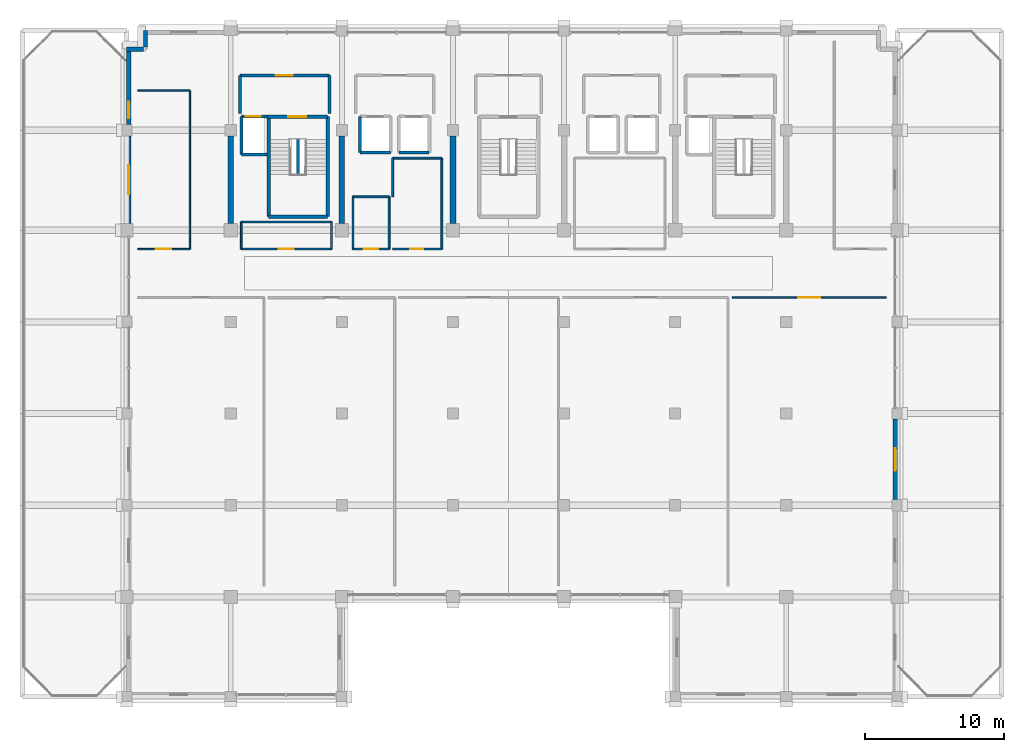
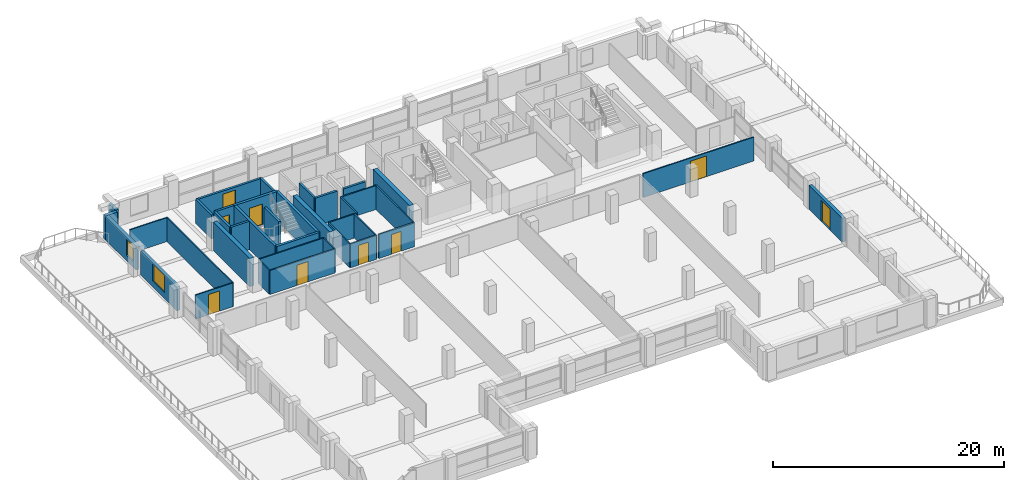
# One storey, part 18 of 22: 38 walls, 9 doors, 2 windows, 11 openings.
"""IFC4 building model written with IfcOpenShell, lengths in metres."""

from ifc_helpers import new_model, si_unit, direction, frame, frame_2d, origin, place, context, subcontext, project, spatial, rectangle, extrude, material, layer, layer_set, type_object, element, fill, save


model = new_model("IFC4")

# Units and contexts
model_context = context("Model", 3, precision=1e-05, world=origin(), true_north=direction((0.0, 1.0)))
body_context = subcontext(model_context, "Body", "Model", "MODEL_VIEW")
ifc_project = project(units=[si_unit("LENGTHUNIT", "METRE"), si_unit("AREAUNIT", "SQUARE_METRE"), si_unit("VOLUMEUNIT", "CUBIC_METRE"), si_unit("PLANEANGLEUNIT", "RADIAN"), si_unit("MASSUNIT", "GRAM", prefix="KILO")], contexts=[model_context])

# Site, building, storey
site_placement = place(None, origin())
site = spatial("IfcSite", under=ifc_project, at=site_placement, CompositionType="ELEMENT")
building_placement = place(site_placement, origin())
building = spatial("IfcBuilding", under=site, at=building_placement, Name="Akrevak Sports Hall", CompositionType="ELEMENT")
storey_placement = place(building_placement, frame((0.0, 0.0, 40.550048828125)))
storey = spatial("IfcBuildingStorey", under=building, at=storey_placement, Name="L09", CompositionType="ELEMENT", Elevation=40.550048828125)

# Wall, opening, door
ifc_material_1 = material(Name="Limestone Ashlar", Category="stone")
ifc_layer_1 = layer(ifc_material_1, 0.070068359375, Name="Limestone Ashlar")
ifc_material_2 = material(Name="Mineral Wool Thermal Insulation", Category="insulation")
ifc_layer_2 = layer(ifc_material_2, 0.090087890625, Name="Mineral Wool Thermal Insulation")
ifc_material_3 = material(Name="Concrete C40/50", Category="concrete")
ifc_layer_3 = layer(ifc_material_3, 0.159912109375, Name="Concrete C40/50")
ifc_layer_set_1 = layer_set([ifc_layer_1, ifc_layer_2, ifc_layer_3], Name="Limestone Ashlar / Mineral Wool Thermal Insulation / Concrete C40/50")
wall_type_1 = type_object("IfcWallType", Name="ARC-WL-EXT-320", PredefinedType="SOLIDWALL", material=ifc_layer_set_1)
wall_1_placement = place(storey_placement, frame((107.840087890625, 35.800048828125, 0.0), z_axis=(0.0, 0.0, 1.0), x_axis=(0.0, 1.0, 0.0)))
wall_1 = element("IfcWall", 1, at=wall_1_placement, inside=storey, type_object=wall_type_1, Name="Tower Stone Facade Wall L09-E12", PredefinedType="SOLIDWALL", context=body_context, shape_type="SweptSolid", body=[
    extrude(rectangle(XDim=5.800048828125, YDim=0.320068359375, at=frame_2d((2.89990234375, 0.0))), origin(), (0.0, 0.0, 1.0), 2.530029296875),
])
opening_1_placement = place(wall_1_placement, frame((2.10009765625, 0.0, 0.0)))
opening_1 = element("IfcOpeningElement", 2, at=opening_1_placement, cuts=wall_1, Name="Opening TD-02", PredefinedType="OPENING", context=body_context, shape_type="SweptSolid", body=[
    extrude(rectangle(XDim=1.60009765625, YDim=2.199951171875, at=frame_2d((0.800048828125, 1.10009765625))), frame((0.0, 0.171875, 0.0), z_axis=(0.0, -1.0, 0.0), x_axis=(1.0, 0.0, 0.0)), (0.0, 0.0, 1.0), 0.343994140625),
])
ifc_material_4 = material(Name="Anodized Bronze Aluminium & Tempered Glass", Category="aluminium")
door_type_1 = type_object("IfcDoorType", Name="ARC-DR-TERR-160x220", OperationType="DOUBLE_DOOR_SINGLE_SWING", PredefinedType="DOOR", material=ifc_material_4)
door_1_placement = place(opening_1_placement, frame((1.60009765625, 0.0, 0.0), z_axis=(0.0, 0.0, 1.0), x_axis=(-1.0, 0.0, 0.0)))
door_1 = element("IfcDoor", 3, at=door_1_placement, inside=storey, type_object=door_type_1, Name="L09 East Setback Terrace Door TD-06", OperationType="DOUBLE_DOOR_SINGLE_SWING", OverallHeight=2.199951171875, OverallWidth=1.60009765625, PredefinedType="DOOR", context=body_context, shape_type="SweptSolid", body=[
    extrude(rectangle(XDim=1.60009765625, YDim=2.199951171875, at=frame_2d((0.800048828125, 1.10009765625))), frame((0.0, 0.02490234375, 0.0), z_axis=(0.0, -1.0, 0.0), x_axis=(1.0, 0.0, 0.0)), (0.0, 0.0, 1.0), 0.050048828125),
])
fill(opening_1, door_1)

# Walls
wall_2_placement = place(storey_placement, frame((53.860107421875, 69.60009765625, 0.0), z_axis=(0.0, 0.0, 1.0), x_axis=(0.0, -1.0, 0.0)))
element("IfcWall", 4, at=wall_2_placement, inside=storey, type_object=wall_type_1, Name="Tower Stone Facade Wall L09-W26", PredefinedType="SOLIDWALL", context=body_context, shape_type="SweptSolid", body=[
    extrude(rectangle(XDim=1.2001953125, YDim=0.320068359375, at=frame_2d((0.60009765625, 0.0))), origin(), (0.0, 0.0, 1.0), 2.530029296875),
])
wall_3_placement = place(storey_placement, frame((53.699951171875, 68.239990234375, 0.0), z_axis=(0.0, 0.0, 1.0), x_axis=(-1.0, 0.0, 0.0)))
element("IfcWall", 5, at=wall_3_placement, inside=storey, type_object=wall_type_1, Name="Tower Stone Facade Wall L09-N27", PredefinedType="SOLIDWALL", context=body_context, shape_type="SweptSolid", body=[
    extrude(rectangle(XDim=1.199951171875, YDim=0.320068359375, at=frame_2d((0.60009765625, 0.0))), origin(), (0.0, 0.0, 1.0), 2.530029296875),
])

# Wall, opening, window
wall_4_placement = place(storey_placement, frame((52.659912109375, 68.39990234375, 0.0), z_axis=(0.0, 0.0, 1.0), x_axis=(0.0, -1.0, 0.0)))
wall_4 = element("IfcWall", 6, at=wall_4_placement, inside=storey, type_object=wall_type_1, Name="Tower Stone Facade Wall L09-W28", PredefinedType="SOLIDWALL", context=body_context, shape_type="SweptSolid", body=[
    extrude(rectangle(XDim=5.599853515625, YDim=0.320068359375, at=frame_2d((2.7998046875, 0.0))), origin(), (0.0, 0.0, 1.0), 2.530029296875),
])
opening_2_placement = place(wall_4_placement, frame((3.949951171875, 0.0, 0.6201171875)))
opening_2 = element("IfcOpeningElement", 7, at=opening_2_placement, cuts=wall_4, Name="Opening WN-45", PredefinedType="OPENING", context=body_context, shape_type="SweptSolid", body=[
    extrude(rectangle(XDim=1.199951171875, YDim=1.64990234375, at=frame_2d((0.60009765625, 0.824951171875))), frame((0.0, 0.171875, 0.0), z_axis=(0.0, -1.0, 0.0), x_axis=(1.0, 0.0, 0.0)), (0.0, 0.0, 1.0), 0.343994140625),
])
ifc_material_5 = material(Name="Thermally Broken Bronze Frame & Double Low-E Glass", Category="glass")
window_type_1 = type_object("IfcWindowType", Name="ARC-WIN-SZ-1200x1650", PartitioningType="SINGLE_PANEL", PredefinedType="WINDOW", material=ifc_material_5)
window_1_placement = place(opening_2_placement, origin())
window_1 = element("IfcWindow", 8, at=window_1_placement, inside=storey, type_object=window_type_1, Name="Tower Window L09-W28", OverallHeight=1.64990234375, OverallWidth=1.199951171875, PartitioningType="SINGLE_PANEL", PredefinedType="WINDOW", context=body_context, shape_type="SweptSolid", body=[
    extrude(rectangle(XDim=1.199951171875, YDim=1.64990234375, at=frame_2d((0.60009765625, 0.824951171875))), frame((0.0, 0.030029296875, 0.0), z_axis=(0.0, -1.0, 0.0), x_axis=(1.0, 0.0, 0.0)), (0.0, 0.0, 1.0), 0.06005859375),
])
fill(opening_2, window_1)

wall_5_placement = place(storey_placement, frame((52.659912109375, 62.0, 0.0), z_axis=(0.0, 0.0, 1.0), x_axis=(0.0, -1.0, 0.0)))
wall_5 = element("IfcWall", 9, at=wall_5_placement, inside=storey, type_object=wall_type_1, Name="Tower Stone Facade Wall L09-W29", PredefinedType="SOLIDWALL", context=body_context, shape_type="SweptSolid", body=[
    extrude(rectangle(XDim=6.324951171875, YDim=0.320068359375, at=frame_2d((3.16259765625, 0.0))), origin(), (0.0, 0.0, 1.0), 2.530029296875),
])
opening_3_placement = place(wall_5_placement, frame((2.112548828125, 0.0, 0.6201171875)))
opening_3 = element("IfcOpeningElement", 10, at=opening_3_placement, cuts=wall_5, Name="Opening WN-55", PredefinedType="OPENING", context=body_context, shape_type="SweptSolid", body=[
    extrude(rectangle(XDim=2.10009765625, YDim=1.81005859375, at=frame_2d((1.050048828125, 0.905029296875))), frame((0.0, 0.171875, 0.0), z_axis=(0.0, -1.0, 0.0), x_axis=(1.0, 0.0, 0.0)), (0.0, 0.0, 1.0), 0.343994140625),
])
window_type_2 = type_object("IfcWindowType", Name="ARC-WIN-SZ-2100x1810", PartitioningType="SINGLE_PANEL", PredefinedType="WINDOW", material=ifc_material_5)
window_2_placement = place(opening_3_placement, origin())
window_2 = element("IfcWindow", 11, at=window_2_placement, inside=storey, type_object=window_type_2, Name="Tower Window L09-W29", OverallHeight=1.81005859375, OverallWidth=2.10009765625, PartitioningType="SINGLE_PANEL", PredefinedType="WINDOW", context=body_context, shape_type="SweptSolid", body=[
    extrude(rectangle(XDim=2.10009765625, YDim=1.81005859375, at=frame_2d((1.050048828125, 0.905029296875))), frame((0.0, 0.030029296875, 0.0), z_axis=(0.0, -1.0, 0.0), x_axis=(1.0, 0.0, 0.0)), (0.0, 0.0, 1.0), 0.06005859375),
])
fill(opening_3, window_2)

# Wall, opening, door
ifc_material_6 = material(Name="Lightweight Office Partition", Category="gypsum")
ifc_layer_4 = layer(ifc_material_6, 0.110107421875, Name="Lightweight Office Partition")
ifc_layer_set_2 = layer_set([ifc_layer_4], Name="Lightweight Office Partition")
wall_type_2 = type_object("IfcWallType", Name="ARC-WL-PRT-110", PredefinedType="PARTITIONING", material=ifc_layer_set_2)
wall_6_placement = place(storey_placement, frame((53.300048828125, 53.85009765625, 0.0), z_axis=(0.0, 0.0, 1.0), x_axis=(1.0, 0.0, 0.0)))
wall_6 = element("IfcWall", 12, at=wall_6_placement, inside=storey, type_object=wall_type_2, Name="Interior Partition Federation Research Office L09-W1 (S)", PredefinedType="PARTITIONING", context=body_context, shape_type="SweptSolid", body=[
    extrude(rectangle(XDim=3.75, YDim=0.110107421875, at=frame_2d((1.875, 0.0))), origin(), (0.0, 0.0, 1.0), 2.530029296875),
])
opening_4_placement = place(wall_6_placement, frame((1.300048828125, 0.0, 0.0)))
opening_4 = element("IfcOpeningElement", 13, at=opening_4_placement, cuts=wall_6, Name="Opening ID-04", PredefinedType="OPENING", context=body_context, shape_type="SweptSolid", body=[
    extrude(rectangle(XDim=1.10009765625, YDim=2.14990234375, at=frame_2d((0.550048828125, 1.074951171875))), frame((0.0, 0.06689453125, 0.0), z_axis=(0.0, -1.0, 0.0), x_axis=(1.0, 0.0, 0.0)), (0.0, 0.0, 1.0), 0.134033203125),
])
ifc_material_7 = material(Name="Hardwood Oak Acoustic Leaf", Category="wood")
door_type_2 = type_object("IfcDoorType", Name="ARC-DR-OFF-110x215", OperationType="NOTDEFINED", PredefinedType="DOOR", material=ifc_material_7)
door_2_placement = place(opening_4_placement, frame((1.10009765625, 0.0, 0.0), z_axis=(0.0, 0.0, 1.0), x_axis=(-1.0, 0.0, 0.0)))
door_2 = element("IfcDoor", 14, at=door_2_placement, inside=storey, type_object=door_type_2, Name="Door to Federation Research Office L09-W1", OperationType="SINGLE_SWING_RIGHT", OverallHeight=2.14990234375, OverallWidth=1.10009765625, PredefinedType="DOOR", context=body_context, shape_type="SweptSolid", body=[
    extrude(rectangle(XDim=1.10009765625, YDim=2.14990234375, at=frame_2d((0.550048828125, 1.074951171875))), frame((0.0, 0.02490234375, 0.0), z_axis=(0.0, -1.0, 0.0), x_axis=(1.0, 0.0, 0.0)), (0.0, 0.0, 1.0), 0.050048828125),
])
fill(opening_4, door_2)

# Walls
wall_7_placement = place(storey_placement, frame((53.300048828125, 65.25, 0.0), z_axis=(0.0, 0.0, 1.0), x_axis=(1.0, 0.0, 0.0)))
element("IfcWall", 15, at=wall_7_placement, inside=storey, type_object=wall_type_2, Name="Interior Partition Federation Research Office L09-W1 (N)", PredefinedType="PARTITIONING", context=body_context, shape_type="SweptSolid", body=[
    extrude(rectangle(XDim=3.75, YDim=0.110107421875, at=frame_2d((1.875, 0.0))), origin(), (0.0, 0.0, 1.0), 2.530029296875),
])
wall_8_placement = place(storey_placement, frame((57.050048828125, 53.85009765625, 0.0), z_axis=(0.0, 0.0, 1.0), x_axis=(0.0, 1.0, 0.0)))
element("IfcWall", 16, at=wall_8_placement, inside=storey, type_object=wall_type_2, Name="Interior Partition Federation Research Office L09-W1 (E)", PredefinedType="PARTITIONING", context=body_context, shape_type="SweptSolid", body=[
    extrude(rectangle(XDim=11.39990234375, YDim=0.110107421875, at=frame_2d((5.699951171875, 0.0))), origin(), (0.0, 0.0, 1.0), 2.530029296875),
])

# Wall, opening, door
ifc_material_8 = material(Name="Standard Metal Stud Partition", Category="gypsum")
ifc_layer_5 = layer(ifc_material_8, 0.1201171875, Name="Standard Metal Stud Partition")
ifc_layer_set_3 = layer_set([ifc_layer_5], Name="Standard Metal Stud Partition")
wall_type_3 = type_object("IfcWallType", Name="ARC-WL-PRT-120", PredefinedType="PARTITIONING", material=ifc_layer_set_3)
wall_9_placement = place(storey_placement, frame((96.10009765625, 50.35009765625, 0.0), z_axis=(0.0, 0.0, 1.0), x_axis=(1.0, 0.0, 0.0)))
wall_9 = element("IfcWall", 17, at=wall_9_placement, inside=storey, type_object=wall_type_3, Name="Interior Partition Federation Seminar Room (L09) (N)", PredefinedType="PARTITIONING", context=body_context, shape_type="SweptSolid", body=[
    extrude(rectangle(XDim=11.099853515625, YDim=0.1201171875, at=frame_2d((5.5498046875, 0.0))), origin(), (0.0, 0.0, 1.0), 2.530029296875),
])
opening_5_placement = place(wall_9_placement, frame((4.75, 0.0, 0.0)))
opening_5 = element("IfcOpeningElement", 18, at=opening_5_placement, cuts=wall_9, Name="Opening ID-03", PredefinedType="OPENING", context=body_context, shape_type="SweptSolid", body=[
    extrude(rectangle(XDim=1.60009765625, YDim=2.199951171875, at=frame_2d((0.800048828125, 1.10009765625))), frame((0.0, 0.072021484375, 0.0), z_axis=(0.0, -1.0, 0.0), x_axis=(1.0, 0.0, 0.0)), (0.0, 0.0, 1.0), 0.14404296875),
])
ifc_material_9 = material(Name="Hardwood Oak & Safety Glass", Category="wood")
door_type_3 = type_object("IfcDoorType", Name="ARC-DR-HALL-160x220", OperationType="DOUBLE_DOOR_SINGLE_SWING", PredefinedType="DOOR", material=ifc_material_9)
door_3_placement = place(opening_5_placement, origin())
door_3 = element("IfcDoor", 19, at=door_3_placement, inside=storey, type_object=door_type_3, Name="Door to Federation Seminar Room (L09)", OperationType="DOUBLE_DOOR_SINGLE_SWING", OverallHeight=2.199951171875, OverallWidth=1.60009765625, PredefinedType="DOOR", context=body_context, shape_type="SweptSolid", body=[
    extrude(rectangle(XDim=1.60009765625, YDim=2.199951171875, at=frame_2d((0.800048828125, 1.10009765625))), frame((0.0, 0.02490234375, 0.0), z_axis=(0.0, -1.0, 0.0), x_axis=(1.0, 0.0, 0.0)), (0.0, 0.0, 1.0), 0.050048828125),
])
fill(opening_5, door_3)

wall_10_placement = place(storey_placement, frame((60.75, 53.85009765625, 0.0), z_axis=(0.0, 0.0, 1.0), x_axis=(1.0, 0.0, 0.0)))
wall_10 = element("IfcWall", 20, at=wall_10_placement, inside=storey, type_object=wall_type_3, Name="Interior Partition Federation Technical Office L09-CW (S)", PredefinedType="PARTITIONING", context=body_context, shape_type="SweptSolid", body=[
    extrude(rectangle(XDim=6.5, YDim=0.1201171875, at=frame_2d((3.25, 0.0))), origin(), (0.0, 0.0, 1.0), 2.530029296875),
])
opening_6_placement = place(wall_10_placement, frame((2.699951171875, 0.0, 0.0)))
opening_6 = element("IfcOpeningElement", 21, at=opening_6_placement, cuts=wall_10, Name="Opening ID-04", PredefinedType="OPENING", context=body_context, shape_type="SweptSolid", body=[
    extrude(rectangle(XDim=1.10009765625, YDim=2.14990234375, at=frame_2d((0.550048828125, 1.074951171875))), frame((0.0, 0.072021484375, 0.0), z_axis=(0.0, -1.0, 0.0), x_axis=(1.0, 0.0, 0.0)), (0.0, 0.0, 1.0), 0.14404296875),
])
door_4_placement = place(opening_6_placement, origin())
door_4 = element("IfcDoor", 22, at=door_4_placement, inside=storey, type_object=door_type_2, Name="Door to Federation Technical Office L09-CW", OperationType="SINGLE_SWING_LEFT", OverallHeight=2.14990234375, OverallWidth=1.10009765625, PredefinedType="DOOR", context=body_context, shape_type="SweptSolid", body=[
    extrude(rectangle(XDim=1.10009765625, YDim=2.14990234375, at=frame_2d((0.550048828125, 1.074951171875))), frame((0.0, 0.02490234375, 0.0), z_axis=(0.0, -1.0, 0.0), x_axis=(1.0, 0.0, 0.0)), (0.0, 0.0, 1.0), 0.050048828125),
])
fill(opening_6, door_4)

# Walls
wall_11_placement = place(storey_placement, frame((60.75, 55.800048828125, 0.0), z_axis=(0.0, 0.0, 1.0), x_axis=(1.0, 0.0, 0.0)))
element("IfcWall", 23, at=wall_11_placement, inside=storey, type_object=wall_type_3, Name="Interior Partition Federation Technical Office L09-CW (N)", PredefinedType="PARTITIONING", context=body_context, shape_type="SweptSolid", body=[
    extrude(rectangle(XDim=6.5, YDim=0.1201171875, at=frame_2d((3.25, 0.0))), origin(), (0.0, 0.0, 1.0), 2.530029296875),
])
for number, where, z_axis, x_axis, name in (
    (24, (60.75, 53.85009765625, 0.0), (0.0, 0.0, 1.0), (0.0, 1.0, 0.0), "Interior Partition Federation Technical Office L09-CW (W)"),
    (25, (67.25, 53.85009765625, 0.0), (0.0, 0.0, 1.0), (0.0, 1.0, 0.0), "Interior Partition Federation Technical Office L09-CW (E)"),
):
    element("IfcWall", number, at=place(storey_placement, frame(where, z_axis=z_axis, x_axis=x_axis)), inside=storey, type_object=wall_type_3, Name=name, PredefinedType="PARTITIONING", context=body_context, shape_type="SweptSolid", body=[
        extrude(rectangle(XDim=1.949951171875, YDim=0.1201171875, at=frame_2d((0.97509765625, 0.0))), origin(), (0.0, 0.0, 1.0), 2.530029296875),
    ])

# Wall, opening, door
ifc_material_10 = material(Name="Moisture-Resistant Wet-Area Partition", Category="gypsum")
ifc_layer_6 = layer(ifc_material_10, 0.139892578125, Name="Moisture-Resistant Wet-Area Partition")
ifc_layer_set_4 = layer_set([ifc_layer_6], Name="Moisture-Resistant Wet-Area Partition")
wall_type_4 = type_object("IfcWallType", Name="ARC-WL-PRT-140", PredefinedType="PARTITIONING", material=ifc_layer_set_4)
wall_12_placement = place(storey_placement, frame((68.800048828125, 53.85009765625, 0.0), z_axis=(0.0, 0.0, 1.0), x_axis=(1.0, 0.0, 0.0)))
wall_12 = element("IfcWall", 26, at=wall_12_placement, inside=storey, type_object=wall_type_4, Name="Interior Partition Accessible WC L09 (S)", PredefinedType="PARTITIONING", context=body_context, shape_type="SweptSolid", body=[
    extrude(rectangle(XDim=2.599853515625, YDim=0.139892578125, at=frame_2d((1.2998046875, 0.0))), origin(), (0.0, 0.0, 1.0), 2.530029296875),
])
opening_7_placement = place(wall_12_placement, frame((0.7900390625, 0.0, 0.0)))
opening_7 = element("IfcOpeningElement", 27, at=opening_7_placement, cuts=wall_12, Name="Opening ID-09", PredefinedType="OPENING", context=body_context, shape_type="SweptSolid", body=[
    extrude(rectangle(XDim=1.02001953125, YDim=2.10009765625, at=frame_2d((0.510009765625, 1.050048828125))), frame((0.0, 0.08203125, 0.0), z_axis=(0.0, -1.0, 0.0), x_axis=(1.0, 0.0, 0.0)), (0.0, 0.0, 1.0), 0.163818359375),
])
ifc_material_11 = material(Name="High-Pressure Laminate & Aluminium", Category="aluminium")
door_type_4 = type_object("IfcDoorType", Name="ARC-DR-AWC-102x210", OperationType="NOTDEFINED", PredefinedType="DOOR", material=ifc_material_11)
door_5_placement = place(opening_7_placement, frame((1.02001953125, 0.0, 0.0), z_axis=(0.0, 0.0, 1.0), x_axis=(-1.0, 0.0, 0.0)))
door_5 = element("IfcDoor", 28, at=door_5_placement, inside=storey, type_object=door_type_4, Name="Door to Accessible WC L09", OperationType="SINGLE_SWING_RIGHT", OverallHeight=2.10009765625, OverallWidth=1.02001953125, PredefinedType="DOOR", context=body_context, shape_type="SweptSolid", body=[
    extrude(rectangle(XDim=1.02001953125, YDim=2.10009765625, at=frame_2d((0.510009765625, 1.050048828125))), frame((0.0, 0.02490234375, 0.0), z_axis=(0.0, -1.0, 0.0), x_axis=(1.0, 0.0, 0.0)), (0.0, 0.0, 1.0), 0.050048828125),
])
fill(opening_7, door_5)

# Walls
wall_13_placement = place(storey_placement, frame((68.800048828125, 57.60009765625, 0.0), z_axis=(0.0, 0.0, 1.0), x_axis=(1.0, 0.0, 0.0)))
element("IfcWall", 29, at=wall_13_placement, inside=storey, type_object=wall_type_4, Name="Interior Partition Accessible WC L09 (N)", PredefinedType="PARTITIONING", context=body_context, shape_type="SweptSolid", body=[
    extrude(rectangle(XDim=2.599853515625, YDim=0.139892578125, at=frame_2d((1.2998046875, 0.0))), origin(), (0.0, 0.0, 1.0), 2.530029296875),
])
for number, where, z_axis, x_axis, name in (
    (30, (68.800048828125, 53.85009765625, 0.0), (0.0, 0.0, 1.0), (0.0, 1.0, 0.0), "Interior Partition Accessible WC L09 (W)"),
    (31, (71.39990234375, 53.85009765625, 0.0), (0.0, 0.0, 1.0), (0.0, 1.0, 0.0), "Interior Partition Accessible WC L09 (E)"),
):
    element("IfcWall", number, at=place(storey_placement, frame(where, z_axis=z_axis, x_axis=x_axis)), inside=storey, type_object=wall_type_4, Name=name, PredefinedType="PARTITIONING", context=body_context, shape_type="SweptSolid", body=[
        extrude(rectangle(XDim=3.75, YDim=0.139892578125, at=frame_2d((1.875, 0.0))), origin(), (0.0, 0.0, 1.0), 2.530029296875),
    ])

# Wall, opening, door
wall_14_placement = place(storey_placement, frame((71.64990234375, 53.85009765625, 0.0), z_axis=(0.0, 0.0, 1.0), x_axis=(1.0, 0.0, 0.0)))
wall_14 = element("IfcWall", 32, at=wall_14_placement, inside=storey, type_object=wall_type_4, Name="Interior Partition Athletic Recovery Shower & WC L09 (S)", PredefinedType="PARTITIONING", context=body_context, shape_type="SweptSolid", body=[
    extrude(rectangle(XDim=3.550048828125, YDim=0.139892578125, at=frame_2d((1.77490234375, 0.0))), origin(), (0.0, 0.0, 1.0), 2.530029296875),
])
opening_8_placement = place(wall_14_placement, frame((1.27490234375, 0.0, 0.0)))
opening_8 = element("IfcOpeningElement", 33, at=opening_8_placement, cuts=wall_14, Name="Opening ID-08", PredefinedType="OPENING", context=body_context, shape_type="SweptSolid", body=[
    extrude(rectangle(XDim=0.949951171875, YDim=2.10009765625, at=frame_2d((0.47509765625, 1.050048828125))), frame((0.0, 0.08203125, 0.0), z_axis=(0.0, -1.0, 0.0), x_axis=(1.0, 0.0, 0.0)), (0.0, 0.0, 1.0), 0.163818359375),
])
door_type_5 = type_object("IfcDoorType", Name="ARC-DR-WC-095x210", OperationType="NOTDEFINED", PredefinedType="DOOR", material=ifc_material_11)
door_6_placement = place(opening_8_placement, origin())
door_6 = element("IfcDoor", 34, at=door_6_placement, inside=storey, type_object=door_type_5, Name="Door to Athletic Recovery Shower & WC L09", OperationType="SINGLE_SWING_LEFT", OverallHeight=2.10009765625, OverallWidth=0.949951171875, PredefinedType="DOOR", context=body_context, shape_type="SweptSolid", body=[
    extrude(rectangle(XDim=0.949951171875, YDim=2.10009765625, at=frame_2d((0.47509765625, 1.050048828125))), frame((0.0, 0.02490234375, 0.0), z_axis=(0.0, -1.0, 0.0), x_axis=(1.0, 0.0, 0.0)), (0.0, 0.0, 1.0), 0.050048828125),
])
fill(opening_8, door_6)

# Walls
wall_15_placement = place(storey_placement, frame((71.64990234375, 60.39990234375, 0.0), z_axis=(0.0, 0.0, 1.0), x_axis=(1.0, 0.0, 0.0)))
element("IfcWall", 35, at=wall_15_placement, inside=storey, type_object=wall_type_4, Name="Interior Partition Athletic Recovery Shower & WC L09 (N)", PredefinedType="PARTITIONING", context=body_context, shape_type="SweptSolid", body=[
    extrude(rectangle(XDim=3.550048828125, YDim=0.139892578125, at=frame_2d((1.77490234375, 0.0))), origin(), (0.0, 0.0, 1.0), 2.530029296875),
])
wall_16_placement = place(storey_placement, frame((71.64990234375, 57.60009765625, 0.0), z_axis=(0.0, 0.0, 1.0), x_axis=(0.0, 1.0, 0.0)))
element("IfcWall", 36, at=wall_16_placement, inside=storey, type_object=wall_type_4, Name="Interior Partition Athletic Recovery Shower & WC L09 (W)", PredefinedType="PARTITIONING", context=body_context, shape_type="SweptSolid", body=[
    extrude(rectangle(XDim=2.7998046875, YDim=0.139892578125, at=frame_2d((1.39990234375, 0.0))), origin(), (0.0, 0.0, 1.0), 2.530029296875),
])
wall_17_placement = place(storey_placement, frame((75.199951171875, 53.85009765625, 0.0), z_axis=(0.0, 0.0, 1.0), x_axis=(0.0, 1.0, 0.0)))
element("IfcWall", 37, at=wall_17_placement, inside=storey, type_object=wall_type_4, Name="Interior Partition Athletic Recovery Shower & WC L09 (E)", PredefinedType="PARTITIONING", context=body_context, shape_type="SweptSolid", body=[
    extrude(rectangle(XDim=6.5498046875, YDim=0.139892578125, at=frame_2d((3.27490234375, 0.0))), origin(), (0.0, 0.0, 1.0), 2.530029296875),
])
ifc_layer_7 = layer(ifc_material_3, 0.219970703125, Name="Concrete C40/50")
ifc_layer_set_5 = layer_set([ifc_layer_7], Name="Concrete C40/50")
wall_type_5 = type_object("IfcWallType", Name="ARC-WL-PRT-220", PredefinedType="PARTITIONING", material=ifc_layer_set_5)
wall_18_placement = place(storey_placement, frame((64.85009765625, 59.215087890625, 0.0), z_axis=(0.0, 0.0, 1.0), x_axis=(0.0, 1.0, 0.0)))
element("IfcWall", 38, at=wall_18_placement, inside=storey, type_object=wall_type_5, Name="Stair ST1 Central Spine Wall (L09)", PredefinedType="PARTITIONING", context=body_context, shape_type="SweptSolid", body=[
    extrude(rectangle(XDim=2.52001953125, YDim=0.219970703125, at=frame_2d((1.260009765625, 0.0))), origin(), (0.0, 0.0, 1.0), 3.010009765625),
])

# Wall, opening, door
wall_19_placement = place(storey_placement, frame((60.64990234375, 66.35009765625, 0.0), z_axis=(0.0, 0.0, 1.0), x_axis=(1.0, 0.0, 0.0)))
wall_19 = element("IfcWall", 39, at=wall_19_placement, inside=storey, type_object=wall_type_5, Name="Interior Partition Firefighting Lobby West L09 (N)", PredefinedType="PARTITIONING", context=body_context, shape_type="SweptSolid", body=[
    extrude(rectangle(XDim=6.4501953125, YDim=0.219970703125, at=frame_2d((3.22509765625, 0.0))), origin(), (0.0, 0.0, 1.0), 2.530029296875),
])
opening_9_placement = place(wall_19_placement, frame((2.574951171875, 0.0, 0.0)))
opening_9 = element("IfcOpeningElement", 40, at=opening_9_placement, cuts=wall_19, Name="Opening FD-01", PredefinedType="OPENING", context=body_context, shape_type="SweptSolid", body=[
    extrude(rectangle(XDim=1.25, YDim=2.199951171875, at=frame_2d((0.625, 1.10009765625))), frame((0.0, 0.1220703125, 0.0), z_axis=(0.0, -1.0, 0.0), x_axis=(1.0, 0.0, 0.0)), (0.0, 0.0, 1.0), 0.243896484375),
])
ifc_material_12 = material(Name="Fire-Rated Galvanized Door Steel", Category="steel")
door_type_6 = type_object("IfcDoorType", Name="ARC-DR-FFL-125x220", OperationType="NOTDEFINED", PredefinedType="DOOR", material=ifc_material_12)
door_7_placement = place(opening_9_placement, frame((1.25, 0.0, 0.0), z_axis=(0.0, 0.0, 1.0), x_axis=(-1.0, 0.0, 0.0)))
door_7 = element("IfcDoor", 41, at=door_7_placement, inside=storey, type_object=door_type_6, Name="Door to Firefighting Lobby West L09", OperationType="SINGLE_SWING_RIGHT", OverallHeight=2.199951171875, OverallWidth=1.25, PredefinedType="DOOR", context=body_context, shape_type="SweptSolid", body=[
    extrude(rectangle(XDim=1.25, YDim=2.199951171875, at=frame_2d((0.625, 1.10009765625))), frame((0.0, 0.02490234375, 0.0), z_axis=(0.0, -1.0, 0.0), x_axis=(1.0, 0.0, 0.0)), (0.0, 0.0, 1.0), 0.050048828125),
])
fill(opening_9, door_7)

# Walls
for number, where, z_axis, x_axis, name in (
    (42, (60.64990234375, 63.60009765625, 0.0), (0.0, 0.0, 1.0), (0.0, 1.0, 0.0), "Interior Partition Firefighting Lobby West L09 (W)"),
    (43, (67.10009765625, 63.60009765625, 0.0), (0.0, 0.0, 1.0), (0.0, 1.0, 0.0), "Interior Partition Firefighting Lobby West L09 (E)"),
):
    element("IfcWall", number, at=place(storey_placement, frame(where, z_axis=z_axis, x_axis=x_axis)), inside=storey, type_object=wall_type_5, Name=name, PredefinedType="PARTITIONING", context=body_context, shape_type="SweptSolid", body=[
        extrude(rectangle(XDim=2.75, YDim=0.219970703125, at=frame_2d((1.375, 0.0))), origin(), (0.0, 0.0, 1.0), 2.530029296875),
    ])
ifc_material_13 = material(Name="Concrete C50/60", Category="concrete")
ifc_layer_8 = layer(ifc_material_13, 0.219970703125, Name="Concrete C50/60")
ifc_layer_set_6 = layer_set([ifc_layer_8], Name="Concrete C50/60")
wall_type_6 = type_object("IfcWallType", Name="ARC-WL-SHAFT-220", PredefinedType="SHEAR", material=ifc_layer_set_6)
wall_20_placement = place(storey_placement, frame((60.760009765625, 60.659912109375, 0.0), z_axis=(0.0, 0.0, 1.0), x_axis=(1.0, 0.0, 0.0)))
element("IfcWall", 44, at=wall_20_placement, inside=storey, type_object=wall_type_6, Name="Lift Shaft LF-FF1 Wall S (L09)", PredefinedType="SHEAR", context=body_context, shape_type="SweptSolid", body=[
    extrude(rectangle(XDim=1.840087890625, YDim=0.219970703125, at=frame_2d((0.919921875, 0.0))), origin(), (0.0, 0.0, 1.0), 3.010009765625),
])

# Wall, opening, door
wall_21_placement = place(storey_placement, frame((62.60009765625, 63.389892578125, 0.0), z_axis=(0.0, 0.0, 1.0), x_axis=(-1.0, 0.0, 0.0)))
wall_21 = element("IfcWall", 45, at=wall_21_placement, inside=storey, type_object=wall_type_6, Name="Lift Shaft LF-FF1 Wall N (L09)", PredefinedType="SHEAR", context=body_context, shape_type="SweptSolid", body=[
    extrude(rectangle(XDim=1.840087890625, YDim=0.219970703125, at=frame_2d((0.919921875, 0.0))), origin(), (0.0, 0.0, 1.0), 3.010009765625),
])
opening_10_placement = place(wall_21_placement, frame((0.425048828125, 0.0, 0.0)))
opening_10 = element("IfcOpeningElement", 46, at=opening_10_placement, cuts=wall_21, Name="Opening LD-01", PredefinedType="OPENING", context=body_context, shape_type="SweptSolid", body=[
    extrude(rectangle(XDim=1.10009765625, YDim=2.199951171875, at=frame_2d((0.550048828125, 1.10009765625))), frame((0.0, 0.1220703125, 0.0), z_axis=(0.0, -1.0, 0.0), x_axis=(1.0, 0.0, 0.0)), (0.0, 0.0, 1.0), 0.243896484375),
])
ifc_material_14 = material(Name="Brushed Stainless Steel 304", Category="steel")
door_type_7 = type_object("IfcDoorType", Name="ARC-DR-LD-110x220", OperationType="SLIDING_TO_LEFT", PredefinedType="DOOR", material=ifc_material_14)
door_8_placement = place(opening_10_placement, origin())
door_8 = element("IfcDoor", 47, at=door_8_placement, inside=storey, type_object=door_type_7, Name="Lift LF-FF1 Sliding Landing Door (L09)", OperationType="SLIDING_TO_RIGHT", OverallHeight=2.199951171875, OverallWidth=1.10009765625, PredefinedType="DOOR", context=body_context, shape_type="SweptSolid", body=[
    extrude(rectangle(XDim=1.10009765625, YDim=2.199951171875, at=frame_2d((0.550048828125, 1.10009765625))), frame((0.0, 0.02490234375, 0.0), z_axis=(0.0, -1.0, 0.0), x_axis=(1.0, 0.0, 0.0)), (0.0, 0.0, 1.0), 0.050048828125),
])
fill(opening_10, door_8)

# Walls
wall_22_placement = place(storey_placement, frame((60.760009765625, 63.389892578125, 0.0), z_axis=(0.0, 0.0, 1.0), x_axis=(0.0, -1.0, 0.0)))
element("IfcWall", 48, at=wall_22_placement, inside=storey, type_object=wall_type_6, Name="Lift Shaft LF-FF1 Wall W (L09)", PredefinedType="SHEAR", context=body_context, shape_type="SweptSolid", body=[
    extrude(rectangle(XDim=2.72998046875, YDim=0.219970703125, at=frame_2d((1.364990234375, 0.0))), origin(), (0.0, 0.0, 1.0), 3.010009765625),
])
wall_23_placement = place(storey_placement, frame((69.31005859375, 60.81005859375, 0.0), z_axis=(0.0, 0.0, 1.0), x_axis=(1.0, 0.0, 0.0)))
element("IfcWall", 49, at=wall_23_placement, inside=storey, type_object=wall_type_6, Name="Lift Shaft LF-P1 Wall S (L09)", PredefinedType="SHEAR", context=body_context, shape_type="SweptSolid", body=[
    extrude(rectangle(XDim=2.179931640625, YDim=0.219970703125, at=frame_2d((1.08984375, 0.0))), origin(), (0.0, 0.0, 1.0), 3.010009765625),
])
wall_24_placement = place(storey_placement, frame((69.31005859375, 63.389892578125, 0.0), z_axis=(0.0, 0.0, 1.0), x_axis=(0.0, -1.0, 0.0)))
element("IfcWall", 50, at=wall_24_placement, inside=storey, type_object=wall_type_6, Name="Lift Shaft LF-P1 Wall W (L09)", PredefinedType="SHEAR", context=body_context, shape_type="SweptSolid", body=[
    extrude(rectangle(XDim=2.579833984375, YDim=0.219970703125, at=frame_2d((1.2900390625, 0.0))), origin(), (0.0, 0.0, 1.0), 3.010009765625),
])
wall_25_placement = place(storey_placement, frame((72.110107421875, 60.81005859375, 0.0), z_axis=(0.0, 0.0, 1.0), x_axis=(1.0, 0.0, 0.0)))
element("IfcWall", 51, at=wall_25_placement, inside=storey, type_object=wall_type_6, Name="Lift Shaft LF-P2 Wall S (L09)", PredefinedType="SHEAR", context=body_context, shape_type="SweptSolid", body=[
    extrude(rectangle(XDim=2.179931640625, YDim=0.219970703125, at=frame_2d((1.08984375, 0.0))), origin(), (0.0, 0.0, 1.0), 3.010009765625),
])
ifc_layer_9 = layer(ifc_material_13, 0.39990234375, Name="Concrete C50/60")
ifc_layer_set_7 = layer_set([ifc_layer_9], Name="Concrete C50/60")
wall_type_7 = type_object("IfcWallType", Name="STR-WL-CORE-400", PredefinedType="SHEAR", material=ifc_layer_set_7)
for number, where, z_axis, x_axis, name in (
    (52, (60.0, 55.675048828125, 0.0), (0.0, 0.0, 1.0), (0.0, 1.0, 0.0), "Reinforced Concrete Shear Wall SW-W2 (L09)"),
    (53, (68.0, 55.675048828125, 0.0), (0.0, 0.0, 1.0), (0.0, 1.0, 0.0), "Reinforced Concrete Shear Wall SW-C1 (L09)"),
    (54, (76.0, 55.675048828125, 0.0), (0.0, 0.0, 1.0), (0.0, 1.0, 0.0), "Reinforced Concrete Shear Wall SW-W1 (L09)"),
):
    element("IfcWall", number, at=place(storey_placement, frame(where, z_axis=z_axis, x_axis=x_axis)), inside=storey, type_object=wall_type_7, Name=name, PredefinedType="SHEAR", context=body_context, shape_type="SweptSolid", body=[
        extrude(rectangle(XDim=6.324951171875, YDim=0.39990234375, at=frame_2d((3.16259765625, 0.0))), origin(), (0.0, 0.0, 1.0), 3.010009765625),
    ])
ifc_layer_10 = layer(ifc_material_13, 0.25, Name="Concrete C50/60")
ifc_layer_set_8 = layer_set([ifc_layer_10], Name="Concrete C50/60")
wall_type_8 = type_object("IfcWallType", Name="STR-WL-STAIR-250", PredefinedType="SHEAR", material=ifc_layer_set_8)
wall_26_placement = place(storey_placement, frame((62.72509765625, 56.175048828125, 0.0), z_axis=(0.0, 0.0, 1.0), x_axis=(1.0, 0.0, 0.0)))
element("IfcWall", 55, at=wall_26_placement, inside=storey, type_object=wall_type_8, Name="Stair Core ST1 Shear Wall S (L09)", PredefinedType="SHEAR", context=body_context, shape_type="SweptSolid", body=[
    extrude(rectangle(XDim=4.25, YDim=0.25, at=frame_2d((2.125, 0.0))), origin(), (0.0, 0.0, 1.0), 3.010009765625),
])

# Wall, opening, door
wall_27_placement = place(storey_placement, frame((66.97509765625, 63.375, 0.0), z_axis=(0.0, 0.0, 1.0), x_axis=(-1.0, 0.0, 0.0)))
wall_27 = element("IfcWall", 56, at=wall_27_placement, inside=storey, type_object=wall_type_8, Name="Stair Core ST1 Shear Wall N (L09)", PredefinedType="SHEAR", context=body_context, shape_type="SweptSolid", body=[
    extrude(rectangle(XDim=4.375, YDim=0.25, at=frame_2d((2.1875, 0.0))), origin(), (0.0, 0.0, 1.0), 3.010009765625),
])
opening_11_placement = place(wall_27_placement, frame((1.53759765625, 0.0, 0.0)))
opening_11 = element("IfcOpeningElement", 57, at=opening_11_placement, cuts=wall_27, Name="Opening SD-01", PredefinedType="OPENING", context=body_context, shape_type="SweptSolid", body=[
    extrude(rectangle(XDim=1.300048828125, YDim=2.199951171875, at=frame_2d((0.64990234375, 1.10009765625))), frame((0.0, 0.136962890625, 0.0), z_axis=(0.0, -1.0, 0.0), x_axis=(1.0, 0.0, 0.0)), (0.0, 0.0, 1.0), 0.27392578125),
])
door_type_8 = type_object("IfcDoorType", Name="ARC-DR-STAIR-130x220", OperationType="NOTDEFINED", PredefinedType="DOOR", material=ifc_material_12)
door_9_placement = place(opening_11_placement, origin())
door_9 = element("IfcDoor", 58, at=door_9_placement, inside=storey, type_object=door_type_8, Name="Exit Stair ST1 Door (L09)", OperationType="SINGLE_SWING_LEFT", OverallHeight=2.199951171875, OverallWidth=1.300048828125, PredefinedType="DOOR", context=body_context, shape_type="SweptSolid", body=[
    extrude(rectangle(XDim=1.300048828125, YDim=2.199951171875, at=frame_2d((0.64990234375, 1.10009765625))), frame((0.0, 0.02490234375, 0.0), z_axis=(0.0, -1.0, 0.0), x_axis=(1.0, 0.0, 0.0)), (0.0, 0.0, 1.0), 0.050048828125),
])
fill(opening_11, door_9)

# Walls
wall_28_placement = place(storey_placement, frame((62.72509765625, 63.25, 0.0), z_axis=(0.0, 0.0, 1.0), x_axis=(0.0, -1.0, 0.0)))
element("IfcWall", 59, at=wall_28_placement, inside=storey, type_object=wall_type_8, Name="Stair Core ST1 Shear Wall W (L09)", PredefinedType="SHEAR", context=body_context, shape_type="SweptSolid", body=[
    extrude(rectangle(XDim=7.074951171875, YDim=0.25, at=frame_2d((3.53759765625, 0.0))), origin(), (0.0, 0.0, 1.0), 3.010009765625),
])
wall_29_placement = place(storey_placement, frame((66.97509765625, 56.175048828125, 0.0), z_axis=(0.0, 0.0, 1.0), x_axis=(0.0, 1.0, 0.0)))
element("IfcWall", 60, at=wall_29_placement, inside=storey, type_object=wall_type_8, Name="Stair Core ST1 Shear Wall E (L09)", PredefinedType="SHEAR", context=body_context, shape_type="SweptSolid", body=[
    extrude(rectangle(XDim=7.199951171875, YDim=0.25, at=frame_2d((3.60009765625, 0.0))), origin(), (0.0, 0.0, 1.0), 3.010009765625),
])

save(model, "model.ifc")
